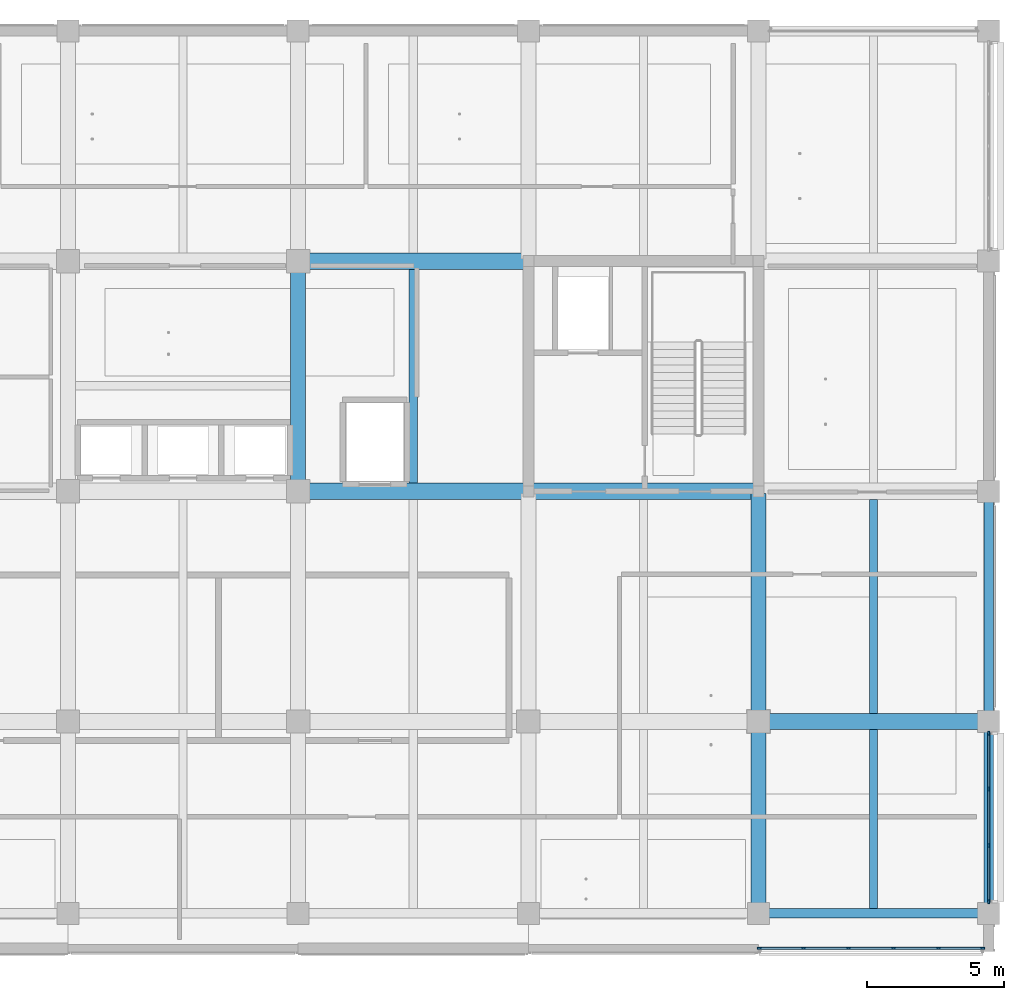
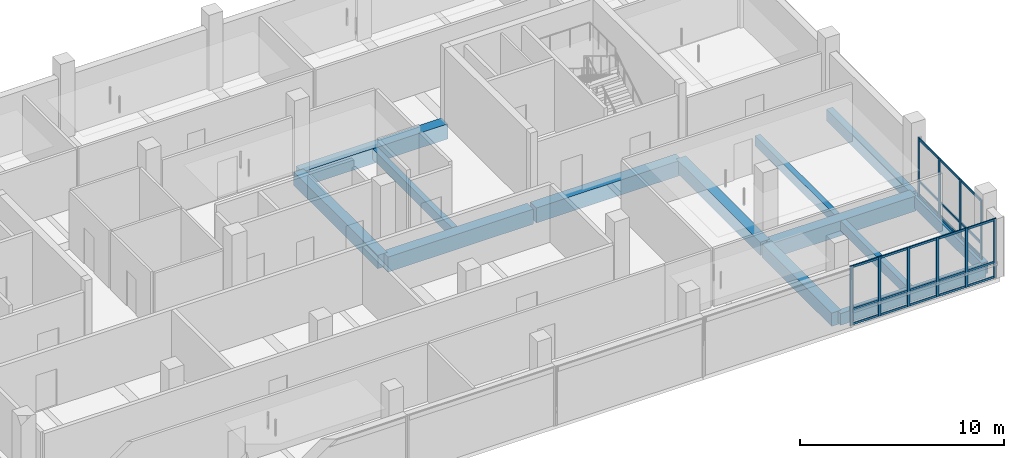
# One storey, part 6 of 35: 34 members, 13 beams, 2 elements without a shape of their own.
"""IFC4 building model written with IfcOpenShell, lengths in metres."""

from ifc_helpers import new_model, si_unit, direction, frame, origin, origin_2d, place, context, subcontext, project, spatial, rectangle, extrude, material, layer, layer_set, material_profile, profile_set, type_object, element, aggregate, save


model = new_model("IFC4")

# Units and contexts
model_context = context("Model", 3, precision=1e-05, world=origin(), true_north=direction((0.0, 1.0)))
body_context = subcontext(model_context, "Body", "Model", "MODEL_VIEW")
ifc_project = project(units=[si_unit("LENGTHUNIT", "METRE"), si_unit("AREAUNIT", "SQUARE_METRE"), si_unit("VOLUMEUNIT", "CUBIC_METRE"), si_unit("PLANEANGLEUNIT", "RADIAN"), si_unit("MASSUNIT", "GRAM", prefix="KILO")], contexts=[model_context])

# Site, building, storey
site_placement = place(None, origin())
site = spatial("IfcSite", under=ifc_project, at=site_placement, CompositionType="ELEMENT")
building_placement = place(site_placement, origin())
building = spatial("IfcBuilding", under=site, at=building_placement, Name="Telukmera Botanical Conservatory", CompositionType="ELEMENT")
storey_placement = place(building_placement, frame((0.0, 0.0, 28.5)))
storey = spatial("IfcBuildingStorey", under=building, at=storey_placement, Name="L06", CompositionType="ELEMENT", Elevation=28.5)

# Beams
ifc_material_1 = material(Name="Concrete C40/50", Category="concrete")
ifc_material_profile_1 = material_profile(ifc_material_1, rectangle(XDim=0.550048828125, YDim=0.800048828125, at=origin_2d()), Name="RC 550x800")
ifc_profile_set_1 = profile_set([ifc_material_profile_1], Name="Concrete C40/50")
beam_type_1 = type_object("IfcBeamType", Name="Beam_B12", PredefinedType="BEAM", material=ifc_profile_set_1)
beam_1_placement = place(storey_placement, frame((84.0, 26.080078125, -0.39990234375), z_axis=(0.0, 1.0, 0.0), x_axis=(-1.0, 0.0, 0.0)))
element("IfcBeam", 1, at=beam_1_placement, inside=storey, type_object=beam_type_1, Name="Tower Transverse Beam L06", PredefinedType="BEAM", context=body_context, shape_type="SweptSolid", body=[
    extrude(rectangle(XDim=0.550048828125, YDim=0.800048828125, at=origin_2d()), origin(), (0.0, 0.0, 1.0), 8.239990234375),
])
beam_2_placement = place(storey_placement, frame((100.800048828125, 10.679931640625, -0.39990234375), z_axis=(0.0, 1.0, 0.0), x_axis=(-1.0, 0.0, 0.0)))
element("IfcBeam", 2, at=beam_2_placement, inside=storey, type_object=beam_type_1, Name="Tower Transverse Beam L06", PredefinedType="BEAM", context=body_context, shape_type="SweptSolid", body=[
    extrude(rectangle(XDim=0.550048828125, YDim=0.800048828125, at=origin_2d()), origin(), (0.0, 0.0, 1.0), 6.840087890625),
])
beam_3_placement = place(storey_placement, frame((100.800048828125, 17.679931640625, -0.39990234375), z_axis=(0.0, 1.0, 0.0), x_axis=(-1.0, 0.0, 0.0)))
element("IfcBeam", 3, at=beam_3_placement, inside=storey, type_object=beam_type_1, Name="Tower Transverse Beam L06", PredefinedType="BEAM", context=body_context, shape_type="SweptSolid", body=[
    extrude(rectangle(XDim=0.550048828125, YDim=0.800048828125, at=origin_2d()), origin(), (0.0, 0.0, 1.0), 8.239990234375),
])
ifc_material_profile_2 = material_profile(ifc_material_1, rectangle(XDim=0.300048828125, YDim=0.60009765625, at=origin_2d()), Name="RC 300x600")
ifc_profile_set_2 = profile_set([ifc_material_profile_2], Name="Concrete C40/50")
beam_type_2 = type_object("IfcBeamType", Name="Beam_B23", PredefinedType="JOIST", material=ifc_profile_set_2)
beam_4_placement = place(storey_placement, frame((88.199951171875, 26.300048828125, -0.300048828125), z_axis=(0.0, 1.0, 0.0), x_axis=(-1.0, 0.0, 0.0)))
element("IfcBeam", 4, at=beam_4_placement, inside=storey, type_object=beam_type_2, Name="Tower Secondary Floor Joist L06", PredefinedType="JOIST", context=body_context, shape_type="SweptSolid", body=[
    extrude(rectangle(XDim=0.300048828125, YDim=0.60009765625, at=origin_2d()), origin(), (0.0, 0.0, 1.0), 7.800048828125),
])
beam_5_placement = place(storey_placement, frame((105.0, 10.77490234375, -0.300048828125), z_axis=(0.0, 1.0, 0.0), x_axis=(-1.0, 0.0, 0.0)))
element("IfcBeam", 5, at=beam_5_placement, inside=storey, type_object=beam_type_2, Name="Tower Secondary Floor Joist L06", PredefinedType="JOIST", context=body_context, shape_type="SweptSolid", body=[
    extrude(rectangle(XDim=0.300048828125, YDim=0.60009765625, at=origin_2d()), origin(), (0.0, 0.0, 1.0), 6.525146484375),
])
beam_6_placement = place(storey_placement, frame((105.0, 17.89990234375, -0.300048828125), z_axis=(0.0, 1.0, 0.0), x_axis=(-1.0, 0.0, 0.0)))
element("IfcBeam", 6, at=beam_6_placement, inside=storey, type_object=beam_type_2, Name="Tower Secondary Floor Joist L06", PredefinedType="JOIST", context=body_context, shape_type="SweptSolid", body=[
    extrude(rectangle(XDim=0.300048828125, YDim=0.60009765625, at=origin_2d()), origin(), (0.0, 0.0, 1.0), 7.800048828125),
])
ifc_material_profile_3 = material_profile(ifc_material_1, rectangle(XDim=0.60009765625, YDim=0.89990234375, at=origin_2d()), Name="RC 600x900")
ifc_profile_set_3 = profile_set([ifc_material_profile_3], Name="Concrete C40/50")
beam_type_3 = type_object("IfcBeamType", Name="Beam_B3", PredefinedType="BEAM", material=ifc_profile_set_3)
beam_7_placement = place(storey_placement, frame((100.8798828125, 17.60009765625, -0.449951171875), z_axis=(1.0, 0.0, 0.0), x_axis=(0.0, 1.0, 0.0)))
element("IfcBeam", 7, at=beam_7_placement, inside=storey, type_object=beam_type_3, Name="Tower Grid Beam L06", PredefinedType="BEAM", context=body_context, shape_type="SweptSolid", body=[
    extrude(rectangle(XDim=0.60009765625, YDim=0.89990234375, at=origin_2d()), origin(), (0.0, 0.0, 1.0), 8.240234375),
])
for number, where, z_axis, x_axis, name in (
    (8, (84.080078125, 26.0, -0.449951171875), (1.0, 0.0, 0.0), (0.0, 1.0, 0.0), "Tower Grid Beam L06"),
    (9, (92.47998046875, 26.0, -0.449951171875), (1.0, 0.0, 0.0), (0.0, 1.0, 0.0), "Tower Grid Beam L06"),
    (10, (84.080078125, 34.39990234375, -0.449951171875), (1.0, 0.0, 0.0), (0.0, 1.0, 0.0), "Tower Grid Beam L06"),
):
    element("IfcBeam", number, at=place(storey_placement, frame(where, z_axis=z_axis, x_axis=x_axis)), inside=storey, type_object=beam_type_3, Name=name, PredefinedType="BEAM", context=body_context, shape_type="SweptSolid", body=[
        extrude(rectangle(XDim=0.60009765625, YDim=0.89990234375, at=origin_2d()), origin(), (0.0, 0.0, 1.0), 8.239990234375),
    ])
ifc_material_2 = material(Name="Precast concrete C40/50", Category="concrete")
ifc_material_profile_4 = material_profile(ifc_material_2, rectangle(XDim=0.35009765625, YDim=0.699951171875, at=origin_2d()), Name="PC 350x700")
ifc_profile_set_4 = profile_set([ifc_material_profile_4], Name="Precast concrete C40/50")
beam_type_4 = type_object("IfcBeamType", Name="Beam_SP2", PredefinedType="SPANDREL", material=ifc_profile_set_4)
beam_8_placement = place(storey_placement, frame((100.8798828125, 10.60009765625, -0.35009765625), z_axis=(1.0, 0.0, 0.0), x_axis=(0.0, 1.0, 0.0)))
element("IfcBeam", 11, at=beam_8_placement, inside=storey, type_object=beam_type_4, Name="Tower Grid Beam L06", PredefinedType="SPANDREL", context=body_context, shape_type="SweptSolid", body=[
    extrude(rectangle(XDim=0.35009765625, YDim=0.699951171875, at=origin_2d()), origin(), (0.0, 0.0, 1.0), 8.240234375),
])
beam_9_placement = place(storey_placement, frame((109.199951171875, 10.679931640625, -0.35009765625), z_axis=(0.0, 1.0, 0.0), x_axis=(-1.0, 0.0, 0.0)))
element("IfcBeam", 12, at=beam_9_placement, inside=storey, type_object=beam_type_4, Name="Tower Transverse Beam L06", PredefinedType="SPANDREL", context=body_context, shape_type="SweptSolid", body=[
    extrude(rectangle(XDim=0.35009765625, YDim=0.699951171875, at=origin_2d()), origin(), (0.0, 0.0, 1.0), 6.840087890625),
])
beam_10_placement = place(storey_placement, frame((109.199951171875, 17.679931640625, -0.35009765625), z_axis=(0.0, 1.0, 0.0), x_axis=(-1.0, 0.0, 0.0)))
element("IfcBeam", 13, at=beam_10_placement, inside=storey, type_object=beam_type_4, Name="Tower Transverse Beam L06", PredefinedType="SPANDREL", context=body_context, shape_type="SweptSolid", body=[
    extrude(rectangle(XDim=0.35009765625, YDim=0.699951171875, at=origin_2d()), origin(), (0.0, 0.0, 1.0), 8.239990234375),
])

# Curtain wall, members
ifc_material_3 = material(Name="Anodised aluminium 6063-T6", Category="aluminium")
ifc_layer = layer(ifc_material_3, 0.179931640625)
ifc_layer_set = layer_set([ifc_layer], Name="Anodised aluminium 6063-T6")
curtain_wall_type = type_object("IfcCurtainWallType", Name="Tower Herbarium Curation Corner Curtain Wall", PredefinedType="USERDEFINED", material=ifc_layer_set)
curtain_wall_1_placement = place(storey_placement, origin())
curtain_wall_1 = element("IfcCurtainWall", 14, at=curtain_wall_1_placement, inside=storey, type_object=curtain_wall_type, Name="Unitised Curtain Wall CW14 V4:L06:S7", ObjectType="UNITISED CURTAIN WALL", PredefinedType="USERDEFINED")
ifc_material_profile_5 = material_profile(ifc_material_3, rectangle(XDim=0.06494140625, YDim=0.159912109375, at=origin_2d()), Name="ALU MULL 65x160")
ifc_profile_set_5 = profile_set([ifc_material_profile_5], Name="Anodised aluminium 6063-T6")
member_type_1 = type_object("IfcMemberType", Name="Curtain Wall Extruded Mullion 65x160", PredefinedType="MULLION", material=ifc_profile_set_5)
member_1_placement = place(storey_placement, frame((100.83447265625, 9.320068359375, 0.0), z_axis=(0.0, 0.0, 1.0), x_axis=(0.0, 1.0, 0.0)))
member_1 = element("IfcMember", 15, at=member_1_placement, type_object=member_type_1, Name="CW14 mullion 1", PredefinedType="MULLION", context=body_context, shape_type="SweptSolid", body=[
    extrude(rectangle(XDim=0.06494140625, YDim=0.159912109375, at=origin_2d()), origin(), (0.0, 0.0, 1.0), 3.550048828125),
])
member_2_placement = place(storey_placement, frame((102.443115234375, 9.320068359375, 0.0), z_axis=(0.0, 0.0, 1.0), x_axis=(0.0, 1.0, 0.0)))
member_2 = element("IfcMember", 16, at=member_2_placement, type_object=member_type_1, Name="CW14 mullion 2", PredefinedType="MULLION", context=body_context, shape_type="SweptSolid", body=[
    extrude(rectangle(XDim=0.06494140625, YDim=0.159912109375, at=origin_2d()), origin(), (0.0, 0.0, 1.0), 3.550048828125),
])
member_3_placement = place(storey_placement, frame((104.08447265625, 9.320068359375, 0.0), z_axis=(0.0, 0.0, 1.0), x_axis=(0.0, 1.0, 0.0)))
member_3 = element("IfcMember", 17, at=member_3_placement, type_object=member_type_1, Name="CW14 mullion 3", PredefinedType="MULLION", context=body_context, shape_type="SweptSolid", body=[
    extrude(rectangle(XDim=0.06494140625, YDim=0.159912109375, at=origin_2d()), origin(), (0.0, 0.0, 1.0), 3.550048828125),
])
member_4_placement = place(storey_placement, frame((105.7255859375, 9.320068359375, 0.0), z_axis=(0.0, 0.0, 1.0), x_axis=(0.0, 1.0, 0.0)))
member_4 = element("IfcMember", 18, at=member_4_placement, type_object=member_type_1, Name="CW14 mullion 4", PredefinedType="MULLION", context=body_context, shape_type="SweptSolid", body=[
    extrude(rectangle(XDim=0.06494140625, YDim=0.159912109375, at=origin_2d()), origin(), (0.0, 0.0, 1.0), 3.550048828125),
])
member_5_placement = place(storey_placement, frame((107.36669921875, 9.320068359375, 0.0), z_axis=(0.0, 0.0, 1.0), x_axis=(0.0, 1.0, 0.0)))
member_5 = element("IfcMember", 19, at=member_5_placement, type_object=member_type_1, Name="CW14 mullion 5", PredefinedType="MULLION", context=body_context, shape_type="SweptSolid", body=[
    extrude(rectangle(XDim=0.06494140625, YDim=0.159912109375, at=origin_2d()), origin(), (0.0, 0.0, 1.0), 3.550048828125),
])
member_6_placement = place(storey_placement, frame((108.9755859375, 9.320068359375, 0.0), z_axis=(0.0, 0.0, 1.0), x_axis=(0.0, 1.0, 0.0)))
member_6 = element("IfcMember", 20, at=member_6_placement, type_object=member_type_1, Name="CW14 mullion 6", PredefinedType="MULLION", context=body_context, shape_type="SweptSolid", body=[
    extrude(rectangle(XDim=0.06494140625, YDim=0.159912109375, at=origin_2d()), origin(), (0.0, 0.0, 1.0), 3.550048828125),
])

curtain_wall_2_placement = place(storey_placement, origin())
curtain_wall_2 = element("IfcCurtainWall", 21, at=curtain_wall_2_placement, inside=storey, type_object=curtain_wall_type, Name="Unitised Curtain Wall CW14 V4:L06:E1", ObjectType="UNITISED CURTAIN WALL", PredefinedType="USERDEFINED")
member_7_placement = place(storey_placement, frame((109.199951171875, 11.034423828125, 0.0), z_axis=(0.0, 0.0, 1.0), x_axis=(-1.0, 0.0, 0.0)))
member_7 = element("IfcMember", 22, at=member_7_placement, type_object=member_type_1, Name="CW14 mullion 1", PredefinedType="MULLION", context=body_context, shape_type="SweptSolid", body=[
    extrude(rectangle(XDim=0.06494140625, YDim=0.159912109375, at=origin_2d()), origin(), (0.0, 0.0, 1.0), 3.550048828125),
])
member_8_placement = place(storey_placement, frame((109.199951171875, 13.0673828125, 0.0), z_axis=(0.0, 0.0, 1.0), x_axis=(-1.0, 0.0, 0.0)))
member_8 = element("IfcMember", 23, at=member_8_placement, type_object=member_type_1, Name="CW14 mullion 2", PredefinedType="MULLION", context=body_context, shape_type="SweptSolid", body=[
    extrude(rectangle(XDim=0.06494140625, YDim=0.159912109375, at=origin_2d()), origin(), (0.0, 0.0, 1.0), 3.550048828125),
])
member_9_placement = place(storey_placement, frame((109.199951171875, 15.132568359375, 0.0), z_axis=(0.0, 0.0, 1.0), x_axis=(-1.0, 0.0, 0.0)))
member_9 = element("IfcMember", 24, at=member_9_placement, type_object=member_type_1, Name="CW14 mullion 3", PredefinedType="MULLION", context=body_context, shape_type="SweptSolid", body=[
    extrude(rectangle(XDim=0.06494140625, YDim=0.159912109375, at=origin_2d()), origin(), (0.0, 0.0, 1.0), 3.550048828125),
])
member_10_placement = place(storey_placement, frame((109.199951171875, 17.16552734375, 0.0), z_axis=(0.0, 0.0, 1.0), x_axis=(-1.0, 0.0, 0.0)))
member_10 = element("IfcMember", 25, at=member_10_placement, type_object=member_type_1, Name="CW14 mullion 4", PredefinedType="MULLION", context=body_context, shape_type="SweptSolid", body=[
    extrude(rectangle(XDim=0.06494140625, YDim=0.159912109375, at=origin_2d()), origin(), (0.0, 0.0, 1.0), 3.550048828125),
])

# Member
ifc_material_profile_6 = material_profile(ifc_material_3, rectangle(XDim=0.06494140625, YDim=0.1298828125, at=origin_2d()), Name="ALU TRAN 65x130")
ifc_profile_set_6 = profile_set([ifc_material_profile_6], Name="Anodised aluminium 6063-T6")
member_type_2 = type_object("IfcMemberType", Name="Curtain Wall Extruded Transom 65x130", PredefinedType="USERDEFINED", material=ifc_profile_set_6)
member_11_placement = place(storey_placement, frame((100.866943359375, 9.320068359375, 0.06494140625), z_axis=(1.0, 0.0, 0.0), x_axis=(0.0, 1.0, 0.0)))
member_11 = element("IfcMember", 26, at=member_11_placement, type_object=member_type_2, Name="CW14 transom 1.1", ObjectType="TRANSOM", PredefinedType="USERDEFINED", context=body_context, shape_type="SweptSolid", body=[
    extrude(rectangle(XDim=0.06494140625, YDim=0.1298828125, at=origin_2d()), origin(), (0.0, 0.0, 1.0), 1.543701171875),
])

member_12_placement = place(storey_placement, frame((100.866943359375, 9.320068359375, 0.949951171875), z_axis=(1.0, 0.0, 0.0), x_axis=(0.0, 1.0, 0.0)))
member_12 = element("IfcMember", 27, at=member_12_placement, type_object=member_type_2, Name="CW14 transom 1.2", ObjectType="TRANSOM", PredefinedType="USERDEFINED", context=body_context, shape_type="SweptSolid", body=[
    extrude(rectangle(XDim=0.06494140625, YDim=0.1298828125, at=origin_2d()), origin(), (0.0, 0.0, 1.0), 1.543701171875),
])

member_13_placement = place(storey_placement, frame((100.866943359375, 9.320068359375, 3.485107421875), z_axis=(1.0, 0.0, 0.0), x_axis=(0.0, 1.0, 0.0)))
member_13 = element("IfcMember", 28, at=member_13_placement, type_object=member_type_2, Name="CW14 transom 1.3", ObjectType="TRANSOM", PredefinedType="USERDEFINED", context=body_context, shape_type="SweptSolid", body=[
    extrude(rectangle(XDim=0.06494140625, YDim=0.1298828125, at=origin_2d()), origin(), (0.0, 0.0, 1.0), 1.543701171875),
])

member_14_placement = place(storey_placement, frame((102.4755859375, 9.320068359375, 0.06494140625), z_axis=(1.0, 0.0, 0.0), x_axis=(0.0, 1.0, 0.0)))
member_14 = element("IfcMember", 29, at=member_14_placement, type_object=member_type_2, Name="CW14 transom 2.1", ObjectType="TRANSOM", PredefinedType="USERDEFINED", context=body_context, shape_type="SweptSolid", body=[
    extrude(rectangle(XDim=0.06494140625, YDim=0.1298828125, at=origin_2d()), origin(), (0.0, 0.0, 1.0), 1.576416015625),
])

member_15_placement = place(storey_placement, frame((102.4755859375, 9.320068359375, 0.949951171875), z_axis=(1.0, 0.0, 0.0), x_axis=(0.0, 1.0, 0.0)))
member_15 = element("IfcMember", 30, at=member_15_placement, type_object=member_type_2, Name="CW14 transom 2.2", ObjectType="TRANSOM", PredefinedType="USERDEFINED", context=body_context, shape_type="SweptSolid", body=[
    extrude(rectangle(XDim=0.06494140625, YDim=0.1298828125, at=origin_2d()), origin(), (0.0, 0.0, 1.0), 1.576416015625),
])

member_16_placement = place(storey_placement, frame((102.4755859375, 9.320068359375, 3.485107421875), z_axis=(1.0, 0.0, 0.0), x_axis=(0.0, 1.0, 0.0)))
member_16 = element("IfcMember", 31, at=member_16_placement, type_object=member_type_2, Name="CW14 transom 2.3", ObjectType="TRANSOM", PredefinedType="USERDEFINED", context=body_context, shape_type="SweptSolid", body=[
    extrude(rectangle(XDim=0.06494140625, YDim=0.1298828125, at=origin_2d()), origin(), (0.0, 0.0, 1.0), 1.576416015625),
])

member_17_placement = place(storey_placement, frame((104.116943359375, 9.320068359375, 0.06494140625), z_axis=(1.0, 0.0, 0.0), x_axis=(0.0, 1.0, 0.0)))
member_17 = element("IfcMember", 32, at=member_17_placement, type_object=member_type_2, Name="CW14 transom 3.1", ObjectType="TRANSOM", PredefinedType="USERDEFINED", context=body_context, shape_type="SweptSolid", body=[
    extrude(rectangle(XDim=0.06494140625, YDim=0.1298828125, at=origin_2d()), origin(), (0.0, 0.0, 1.0), 1.576171875),
])

member_18_placement = place(storey_placement, frame((104.116943359375, 9.320068359375, 0.949951171875), z_axis=(1.0, 0.0, 0.0), x_axis=(0.0, 1.0, 0.0)))
member_18 = element("IfcMember", 33, at=member_18_placement, type_object=member_type_2, Name="CW14 transom 3.2", ObjectType="TRANSOM", PredefinedType="USERDEFINED", context=body_context, shape_type="SweptSolid", body=[
    extrude(rectangle(XDim=0.06494140625, YDim=0.1298828125, at=origin_2d()), origin(), (0.0, 0.0, 1.0), 1.576171875),
])

member_19_placement = place(storey_placement, frame((104.116943359375, 9.320068359375, 3.485107421875), z_axis=(1.0, 0.0, 0.0), x_axis=(0.0, 1.0, 0.0)))
member_19 = element("IfcMember", 34, at=member_19_placement, type_object=member_type_2, Name="CW14 transom 3.3", ObjectType="TRANSOM", PredefinedType="USERDEFINED", context=body_context, shape_type="SweptSolid", body=[
    extrude(rectangle(XDim=0.06494140625, YDim=0.1298828125, at=origin_2d()), origin(), (0.0, 0.0, 1.0), 1.576171875),
])

member_20_placement = place(storey_placement, frame((105.758056640625, 9.320068359375, 0.06494140625), z_axis=(1.0, 0.0, 0.0), x_axis=(0.0, 1.0, 0.0)))
member_20 = element("IfcMember", 35, at=member_20_placement, type_object=member_type_2, Name="CW14 transom 4.1", ObjectType="TRANSOM", PredefinedType="USERDEFINED", context=body_context, shape_type="SweptSolid", body=[
    extrude(rectangle(XDim=0.06494140625, YDim=0.1298828125, at=origin_2d()), origin(), (0.0, 0.0, 1.0), 1.576171875),
])

member_21_placement = place(storey_placement, frame((105.758056640625, 9.320068359375, 0.949951171875), z_axis=(1.0, 0.0, 0.0), x_axis=(0.0, 1.0, 0.0)))
member_21 = element("IfcMember", 36, at=member_21_placement, type_object=member_type_2, Name="CW14 transom 4.2", ObjectType="TRANSOM", PredefinedType="USERDEFINED", context=body_context, shape_type="SweptSolid", body=[
    extrude(rectangle(XDim=0.06494140625, YDim=0.1298828125, at=origin_2d()), origin(), (0.0, 0.0, 1.0), 1.576171875),
])

member_22_placement = place(storey_placement, frame((105.758056640625, 9.320068359375, 3.485107421875), z_axis=(1.0, 0.0, 0.0), x_axis=(0.0, 1.0, 0.0)))
member_22 = element("IfcMember", 37, at=member_22_placement, type_object=member_type_2, Name="CW14 transom 4.3", ObjectType="TRANSOM", PredefinedType="USERDEFINED", context=body_context, shape_type="SweptSolid", body=[
    extrude(rectangle(XDim=0.06494140625, YDim=0.1298828125, at=origin_2d()), origin(), (0.0, 0.0, 1.0), 1.576171875),
])

member_23_placement = place(storey_placement, frame((107.3994140625, 9.320068359375, 0.06494140625), z_axis=(1.0, 0.0, 0.0), x_axis=(0.0, 1.0, 0.0)))
member_23 = element("IfcMember", 38, at=member_23_placement, type_object=member_type_2, Name="CW14 transom 5.1", ObjectType="TRANSOM", PredefinedType="USERDEFINED", context=body_context, shape_type="SweptSolid", body=[
    extrude(rectangle(XDim=0.06494140625, YDim=0.1298828125, at=origin_2d()), origin(), (0.0, 0.0, 1.0), 1.543701171875),
])

member_24_placement = place(storey_placement, frame((107.3994140625, 9.320068359375, 0.949951171875), z_axis=(1.0, 0.0, 0.0), x_axis=(0.0, 1.0, 0.0)))
member_24 = element("IfcMember", 39, at=member_24_placement, type_object=member_type_2, Name="CW14 transom 5.2", ObjectType="TRANSOM", PredefinedType="USERDEFINED", context=body_context, shape_type="SweptSolid", body=[
    extrude(rectangle(XDim=0.06494140625, YDim=0.1298828125, at=origin_2d()), origin(), (0.0, 0.0, 1.0), 1.543701171875),
])

member_25_placement = place(storey_placement, frame((107.3994140625, 9.320068359375, 3.485107421875), z_axis=(1.0, 0.0, 0.0), x_axis=(0.0, 1.0, 0.0)))
member_25 = element("IfcMember", 40, at=member_25_placement, type_object=member_type_2, Name="CW14 transom 5.3", ObjectType="TRANSOM", PredefinedType="USERDEFINED", context=body_context, shape_type="SweptSolid", body=[
    extrude(rectangle(XDim=0.06494140625, YDim=0.1298828125, at=origin_2d()), origin(), (0.0, 0.0, 1.0), 1.543701171875),
])

aggregate(curtain_wall_1, [member_1, member_2, member_3, member_4, member_5, member_6, member_11, member_12, member_13, member_14, member_15, member_16, member_17, member_18, member_19, member_20, member_21, member_22, member_23, member_24, member_25])

member_26_placement = place(storey_placement, frame((109.199951171875, 11.06689453125, 0.06494140625), z_axis=(0.0, 1.0, 0.0), x_axis=(-1.0, 0.0, 0.0)))
member_26 = element("IfcMember", 41, at=member_26_placement, type_object=member_type_2, Name="CW14 transom 1.1", ObjectType="TRANSOM", PredefinedType="USERDEFINED", context=body_context, shape_type="SweptSolid", body=[
    extrude(rectangle(XDim=0.06494140625, YDim=0.1298828125, at=origin_2d()), origin(), (0.0, 0.0, 1.0), 1.968017578125),
])

member_27_placement = place(storey_placement, frame((109.199951171875, 11.06689453125, 0.949951171875), z_axis=(0.0, 1.0, 0.0), x_axis=(-1.0, 0.0, 0.0)))
member_27 = element("IfcMember", 42, at=member_27_placement, type_object=member_type_2, Name="CW14 transom 1.2", ObjectType="TRANSOM", PredefinedType="USERDEFINED", context=body_context, shape_type="SweptSolid", body=[
    extrude(rectangle(XDim=0.06494140625, YDim=0.1298828125, at=origin_2d()), origin(), (0.0, 0.0, 1.0), 1.968017578125),
])

member_28_placement = place(storey_placement, frame((109.199951171875, 11.06689453125, 3.485107421875), z_axis=(0.0, 1.0, 0.0), x_axis=(-1.0, 0.0, 0.0)))
member_28 = element("IfcMember", 43, at=member_28_placement, type_object=member_type_2, Name="CW14 transom 1.3", ObjectType="TRANSOM", PredefinedType="USERDEFINED", context=body_context, shape_type="SweptSolid", body=[
    extrude(rectangle(XDim=0.06494140625, YDim=0.1298828125, at=origin_2d()), origin(), (0.0, 0.0, 1.0), 1.968017578125),
])

member_29_placement = place(storey_placement, frame((109.199951171875, 13.099853515625, 0.06494140625), z_axis=(0.0, 1.0, 0.0), x_axis=(-1.0, 0.0, 0.0)))
member_29 = element("IfcMember", 44, at=member_29_placement, type_object=member_type_2, Name="CW14 transom 2.1", ObjectType="TRANSOM", PredefinedType="USERDEFINED", context=body_context, shape_type="SweptSolid", body=[
    extrude(rectangle(XDim=0.06494140625, YDim=0.1298828125, at=origin_2d()), origin(), (0.0, 0.0, 1.0), 2.000244140625),
])

member_30_placement = place(storey_placement, frame((109.199951171875, 13.099853515625, 0.949951171875), z_axis=(0.0, 1.0, 0.0), x_axis=(-1.0, 0.0, 0.0)))
member_30 = element("IfcMember", 45, at=member_30_placement, type_object=member_type_2, Name="CW14 transom 2.2", ObjectType="TRANSOM", PredefinedType="USERDEFINED", context=body_context, shape_type="SweptSolid", body=[
    extrude(rectangle(XDim=0.06494140625, YDim=0.1298828125, at=origin_2d()), origin(), (0.0, 0.0, 1.0), 2.000244140625),
])

member_31_placement = place(storey_placement, frame((109.199951171875, 13.099853515625, 3.485107421875), z_axis=(0.0, 1.0, 0.0), x_axis=(-1.0, 0.0, 0.0)))
member_31 = element("IfcMember", 46, at=member_31_placement, type_object=member_type_2, Name="CW14 transom 2.3", ObjectType="TRANSOM", PredefinedType="USERDEFINED", context=body_context, shape_type="SweptSolid", body=[
    extrude(rectangle(XDim=0.06494140625, YDim=0.1298828125, at=origin_2d()), origin(), (0.0, 0.0, 1.0), 2.000244140625),
])

member_32_placement = place(storey_placement, frame((109.199951171875, 15.165283203125, 0.06494140625), z_axis=(0.0, 1.0, 0.0), x_axis=(-1.0, 0.0, 0.0)))
member_32 = element("IfcMember", 47, at=member_32_placement, type_object=member_type_2, Name="CW14 transom 3.1", ObjectType="TRANSOM", PredefinedType="USERDEFINED", context=body_context, shape_type="SweptSolid", body=[
    extrude(rectangle(XDim=0.06494140625, YDim=0.1298828125, at=origin_2d()), origin(), (0.0, 0.0, 1.0), 1.9677734375),
])

member_33_placement = place(storey_placement, frame((109.199951171875, 15.165283203125, 0.949951171875), z_axis=(0.0, 1.0, 0.0), x_axis=(-1.0, 0.0, 0.0)))
member_33 = element("IfcMember", 48, at=member_33_placement, type_object=member_type_2, Name="CW14 transom 3.2", ObjectType="TRANSOM", PredefinedType="USERDEFINED", context=body_context, shape_type="SweptSolid", body=[
    extrude(rectangle(XDim=0.06494140625, YDim=0.1298828125, at=origin_2d()), origin(), (0.0, 0.0, 1.0), 1.9677734375),
])

member_34_placement = place(storey_placement, frame((109.199951171875, 15.165283203125, 3.485107421875), z_axis=(0.0, 1.0, 0.0), x_axis=(-1.0, 0.0, 0.0)))
member_34 = element("IfcMember", 49, at=member_34_placement, type_object=member_type_2, Name="CW14 transom 3.3", ObjectType="TRANSOM", PredefinedType="USERDEFINED", context=body_context, shape_type="SweptSolid", body=[
    extrude(rectangle(XDim=0.06494140625, YDim=0.1298828125, at=origin_2d()), origin(), (0.0, 0.0, 1.0), 1.9677734375),
])

aggregate(curtain_wall_2, [member_7, member_8, member_9, member_10, member_26, member_27, member_28, member_29, member_30, member_31, member_32, member_33, member_34])

save(model, "model.ifc")
